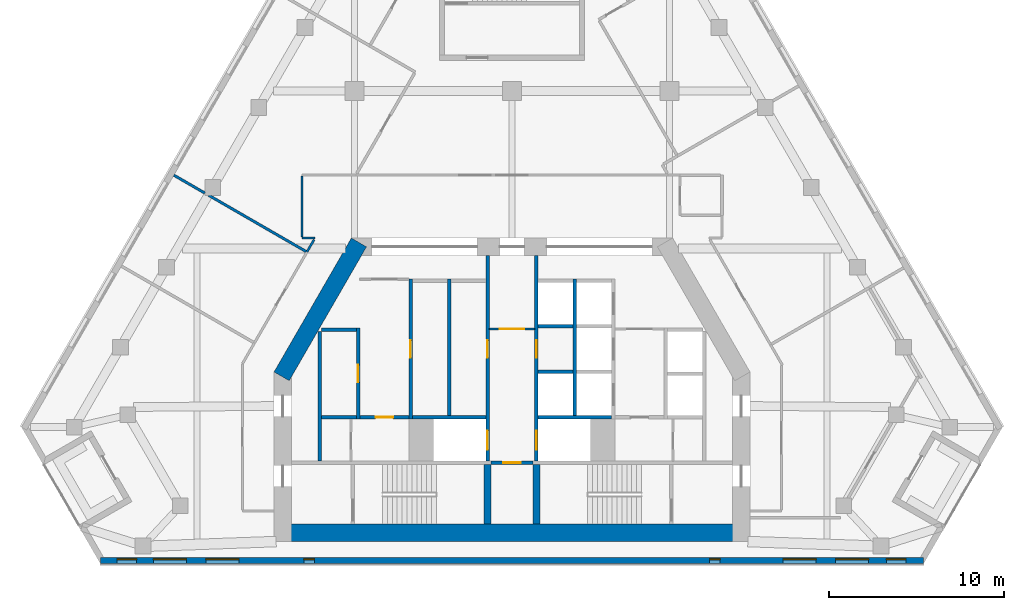
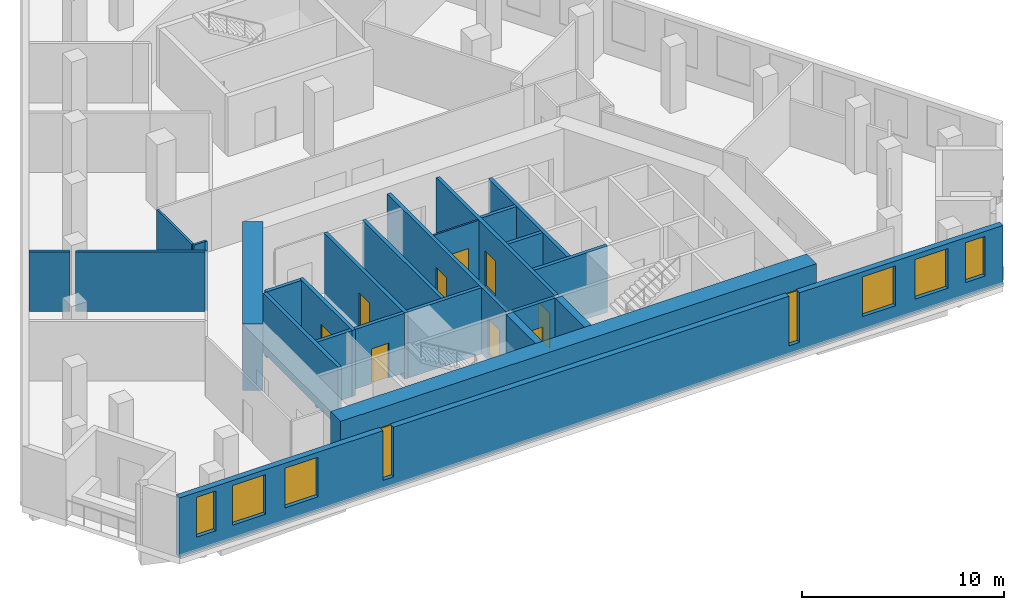
# One storey, part 4 of 9: 26 walls, 9 doors, 8 windows, 17 openings.
"""IFC4 building model written with IfcOpenShell, lengths in metres."""

import ifcopenshell
import ifcopenshell.guid

model = None  # the IFC model being written
_history = None  # IfcOwnerHistory: only IFC2X3 demands one
_inside = {}  # id of a spatial element -> (the spatial element, [elements in it])
_under = {}  # id of a project, library or spatial element -> (it, [spatial elements below it])
_declared = {}  # id of a project -> (the project, [libraries it declares])
_typed = {}  # id of a type object -> (the type object, [elements of that type])
_made_of = {}  # id of a material, layer set ... -> (it, [elements and type objects made of it])


def new_model(schema):
    """Start an empty IFC model of exactly this schema.

    Asked for "IFC4X3", IfcOpenShell would pick the latest addendum, in which some entities
    have other attributes; the version numbers below select the first issue.
    IFC2X3 requires an IfcOwnerHistory on every rooted entity: one is made here for all.
    """
    global model, _history
    if schema == "IFC4X3":
        model = ifcopenshell.file(schema_version=(4, 3, 0, 0))
    else:
        model = ifcopenshell.file(schema=schema)
    _inside.clear()
    _under.clear()
    _declared.clear()
    _typed.clear()
    _made_of.clear()
    _history = None
    if model.schema == "IFC2X3":
        org = make("IfcOrganization", Name="unknown")
        user = make(
            "IfcPersonAndOrganization",
            ThePerson=make("IfcPerson", FamilyName="unknown"),
            TheOrganization=org,
        )
        app = make(
            "IfcApplication",
            ApplicationDeveloper=org,
            Version="unknown",
            ApplicationFullName="unknown",
            ApplicationIdentifier="unknown",
        )
        _history = make(
            "IfcOwnerHistory",
            OwningUser=user,
            OwningApplication=app,
            ChangeAction="ADDED",
            CreationDate=0,
        )
    return model


def make(cls, **values):
    """One entity of the class cls with the attributes given. An attribute that is None is left unset."""
    return model.create_entity(
        cls, **{name: value for name, value in values.items() if value is not None}
    )


def rooted(cls, **values):
    """An entity with a GlobalId (a new one), such as an element, a storey or a relation."""
    return make(cls, GlobalId=ifcopenshell.guid.new(), OwnerHistory=_history, **values)


def si_unit(unit_type, name, prefix=None):
    """IfcSIUnit, for example si_unit("LENGTHUNIT", "METRE", prefix="MILLI")."""
    return make("IfcSIUnit", UnitType=unit_type, Prefix=prefix, Name=name)


def assignment(units):
    """IfcUnitAssignment: the units of a project."""
    return None if units is None else make("IfcUnitAssignment", Units=units)


def point(xyz):
    """IfcCartesianPoint."""
    return None if xyz is None else make("IfcCartesianPoint", Coordinates=xyz)


def direction(xyz):
    """IfcDirection."""
    return None if xyz is None else make("IfcDirection", DirectionRatios=xyz)


def frame(location, z_axis=None, x_axis=None):
    """IfcAxis2Placement3D, a coordinate frame: its origin and axes. An axis left out is left unset."""
    return make(
        "IfcAxis2Placement3D",
        Location=point(location),
        Axis=direction(z_axis),
        RefDirection=direction(x_axis),
    )


def frame_2d(location, x_axis=None):
    """IfcAxis2Placement2D, a coordinate frame in the plane: its origin and x axis."""
    return make(
        "IfcAxis2Placement2D", Location=point(location), RefDirection=direction(x_axis)
    )


def origin():
    """The frame at (0, 0, 0) with its axes left unset."""
    return frame((0.0, 0.0, 0.0))


def place(relative_to, where):
    """IfcLocalPlacement: puts the frame where relative to a parent placement (None: the world)."""
    return make(
        "IfcLocalPlacement", PlacementRelTo=relative_to, RelativePlacement=where
    )


def context(
    kind, dimensions, precision=None, world=None, true_north=None, identifier=None
):
    """IfcGeometricRepresentationContext, for example the 3D "Model" context."""
    return make(
        "IfcGeometricRepresentationContext",
        ContextIdentifier=identifier,
        ContextType=kind,
        CoordinateSpaceDimension=dimensions,
        Precision=precision,
        WorldCoordinateSystem=world,
        TrueNorth=true_north,
    )


def subcontext(parent, identifier, kind, view, scale=None):
    """IfcGeometricRepresentationSubContext, for example "Body" below "Model"."""
    return make(
        "IfcGeometricRepresentationSubContext",
        ContextIdentifier=identifier,
        ContextType=kind,
        ParentContext=parent,
        TargetScale=scale,
        TargetView=view,
    )


def project(units=None, contexts=None):
    """IfcProject with its units and contexts."""
    return rooted(
        "IfcProject",
        Name="project",
        RepresentationContexts=contexts,
        UnitsInContext=assignment(units),
    )


def spatial(cls, under=None, at=None, **own):
    """A site, building, storey or space (cls), placed at a placement, below another one or the project."""
    s = rooted(cls, ObjectPlacement=at, **own)
    if under is not None:
        _under.setdefault(under.id(), (under, []))[1].append(s)
    return s


def profile(cls, at=None, kind="AREA", **sizes):
    """A parametric profile (cls). Its sizes go by their IFC names, for example OverallWidth=200.0."""
    return make(cls, ProfileType=kind, Position=at, **sizes)


def rectangle(**sizes):
    """IfcRectangleProfileDef."""
    return profile("IfcRectangleProfileDef", **sizes)


def extrude(swept, where, along, depth):
    """IfcExtrudedAreaSolid: the profile swept, set in the frame where, extruded along a direction by depth."""
    return make(
        "IfcExtrudedAreaSolid",
        SweptArea=swept,
        Position=where,
        ExtrudedDirection=direction(along),
        Depth=depth,
    )


def shape(context_of_items, identifier, shape_type, items):
    """IfcShapeRepresentation: the items that make up one representation, for example the "Body"."""
    return make(
        "IfcShapeRepresentation",
        ContextOfItems=context_of_items,
        RepresentationIdentifier=identifier,
        RepresentationType=shape_type,
        Items=items,
    )


def material(Name=None, Category=None):
    """IfcMaterial."""
    return make("IfcMaterial", Name=Name, Category=Category)


def layer(
    of_material, thickness, ventilated=None, Name=None, Category=None, Priority=None
):
    """IfcMaterialLayer: one layer of a wall or slab, of a material (None: an air gap)."""
    return make(
        "IfcMaterialLayer",
        Material=of_material,
        LayerThickness=thickness,
        IsVentilated=ventilated,
        Name=Name,
        Category=Category,
        Priority=Priority,
    )


def layer_set(layers, Name=None):
    """IfcMaterialLayerSet."""
    return make("IfcMaterialLayerSet", MaterialLayers=layers, LayerSetName=Name)


def made_of(thing, what):
    """Note that an element or type object is made of a material, layer set ...; save() writes the relation."""
    if what is not None:
        _made_of.setdefault(what.id(), (what, []))[1].append(thing)
    return thing


def type_object(cls, material=None, **own):
    """A type object (cls), such as IfcWallType, which elements share."""
    return made_of(rooted(cls, **own), material)


def element(
    cls,
    number,
    at=None,
    inside=None,
    cuts=None,
    type_object=None,
    material=None,
    context=None,
    identifier="Body",
    shape_type=None,
    held_by="IfcProductDefinitionShape",
    body=None,
    shapes=None,
    **own,
):
    """One element of the class cls, such as IfcWall. Its Tag is "e" and its number.

    at: its placement. inside: the storey or other place that contains it. cuts: it is an
    opening in that element (IfcRelVoidsElement). A single representation is given by context,
    identifier, shape_type and body (its items); several are given by shapes. held_by: the class
    of the entity that holds the representations. save() writes the other relations.
    """
    e = rooted(cls, Tag="e%d" % number, ObjectPlacement=at, **own)
    if body is not None:
        shapes = [shape(context, identifier, shape_type, body)]
    if shapes is not None:
        e.Representation = make(held_by, Representations=shapes)
    if inside is not None:
        _inside.setdefault(inside.id(), (inside, []))[1].append(e)
    if cuts is not None:
        rooted(
            "IfcRelVoidsElement", RelatingBuildingElement=cuts, RelatedOpeningElement=e
        )
    if type_object is not None:
        _typed.setdefault(type_object.id(), (type_object, []))[1].append(e)
    return made_of(e, material)


def fill(opening, filler):
    """IfcRelFillsElement: the door or window that sits in an opening."""
    return rooted(
        "IfcRelFillsElement",
        RelatingOpeningElement=opening,
        RelatedBuildingElement=filler,
    )


def aggregate(whole, parts):
    """IfcRelAggregates: a whole, such as a stair, and the parts it consists of."""
    return rooted("IfcRelAggregates", RelatingObject=whole, RelatedObjects=parts)


def save(model, path):
    """Write the relations noted so far, then the file.

    IfcRelAggregates (storeys below a building ...), IfcRelContainedInSpatialStructure (elements
    in a storey), IfcRelDefinesByType, IfcRelAssociatesMaterial and IfcRelDeclares: one each for
    every whole, place, type object, material and project.
    """
    for whole, parts in _under.values():
        aggregate(whole, parts)
    for where, things in _inside.values():
        rooted(
            "IfcRelContainedInSpatialStructure",
            RelatedElements=things,
            RelatingStructure=where,
        )
    for kind, things in _typed.values():
        rooted("IfcRelDefinesByType", RelatedObjects=things, RelatingType=kind)
    for what, things in _made_of.values():
        rooted("IfcRelAssociatesMaterial", RelatedObjects=things, RelatingMaterial=what)
    for by, libraries in _declared.values():
        rooted("IfcRelDeclares", RelatingContext=by, RelatedDefinitions=libraries)
    model.write(path)


model = new_model("IFC4")

# Units and contexts
model_context = context("Model", 3, precision=1e-05, world=origin(), true_north=direction((0.0, 1.0)))
body_context = subcontext(model_context, "Body", "Model", "MODEL_VIEW")
ifc_project = project(units=[si_unit("LENGTHUNIT", "METRE"), si_unit("AREAUNIT", "SQUARE_METRE"), si_unit("VOLUMEUNIT", "CUBIC_METRE"), si_unit("PLANEANGLEUNIT", "RADIAN"), si_unit("MASSUNIT", "GRAM", prefix="KILO")], contexts=[model_context])

# Site, building, storey
site_placement = place(None, origin())
site = spatial("IfcSite", under=ifc_project, at=site_placement, CompositionType="ELEMENT")
building_placement = place(site_placement, origin())
building = spatial("IfcBuilding", under=site, at=building_placement, Name="Fogline Exchange Tower", CompositionType="ELEMENT")
storey_placement = place(building_placement, frame((0.0, 0.0, 186.10009765625)))
storey = spatial("IfcBuildingStorey", under=building, at=storey_placement, Name="L41", CompositionType="ELEMENT", Elevation=186.10009765625)

# Wall, opening, door
ifc_material_1 = material(Name="Blockwork partition", Category="masonry")
ifc_layer_1 = layer(ifc_material_1, 0.10009765625)
ifc_layer_set_1 = layer_set([ifc_layer_1], Name="CW10")
wall_type_1 = type_object("IfcWallType", Name="CW10", PredefinedType="PARTITIONING", material=ifc_layer_set_1)
wall_1_placement = place(storey_placement, frame((-1.300048828125, 13.39990234375, 0.0), z_axis=(0.0, 0.0, 1.0), x_axis=(1.0, 0.0, 0.0)))
wall_1 = element("IfcWall", 1, at=wall_1_placement, inside=storey, type_object=wall_type_1, Name="Lift lobby partition", PredefinedType="PARTITIONING", context=body_context, shape_type="SweptSolid", body=[
    extrude(rectangle(XDim=2.60009765625, YDim=0.10009765625, at=frame_2d((1.300048828125, 0.0))), origin(), (0.0, 0.0, 1.0), 3.599853515625),
])
opening_1_placement = place(wall_1_placement, frame((0.60009765625, 0.0, 0.0)))
opening_1 = element("IfcOpeningElement", 2, at=opening_1_placement, cuts=wall_1, Name="Opening T13-C018", PredefinedType="OPENING", context=body_context, shape_type="SweptSolid", body=[
    extrude(rectangle(XDim=1.39990234375, YDim=2.10009765625, at=frame_2d((0.699951171875, 1.050048828125))), frame((0.0, 0.06005859375, 0.0), z_axis=(0.0, -1.0, 0.0), x_axis=(1.0, 0.0, 0.0)), (0.0, 0.0, 1.0), 0.1201171875),
])
ifc_material_2 = material(Name="Steel and timber fire door", Category="steel")
door_type_1 = type_object("IfcDoorType", Name="D-LB1", OperationType="DOUBLE_DOOR_SINGLE_SWING", PredefinedType="DOOR", material=ifc_material_2)
door_1_placement = place(opening_1_placement, origin())
door_1 = element("IfcDoor", 3, at=door_1_placement, inside=storey, type_object=door_type_1, Name="Door to firefighting lift lobby", OperationType="DOUBLE_DOOR_SINGLE_SWING", OverallHeight=2.10009765625, OverallWidth=1.39990234375, PredefinedType="DOOR", context=body_context, shape_type="SweptSolid", body=[
    extrude(rectangle(XDim=1.39990234375, YDim=2.10009765625, at=frame_2d((0.699951171875, 1.050048828125))), frame((0.0, 0.02490234375, 0.0), z_axis=(0.0, -1.0, 0.0), x_axis=(1.0, 0.0, 0.0)), (0.0, 0.0, 1.0), 0.050048828125),
])
fill(opening_1, door_1)

# Wall
ifc_material_3 = material(Name="Concrete C40", Category="concrete")
ifc_layer_2 = layer(ifc_material_3, 0.199951171875)
ifc_layer_set_2 = layer_set([ifc_layer_2], Name="CW20")
wall_type_2 = type_object("IfcWallType", Name="CW20", PredefinedType="SOLIDWALL", material=ifc_layer_set_2)
wall_2_placement = place(storey_placement, frame((-11.0, 5.85009765625, 0.0), z_axis=(0.0, 0.0, 1.0), x_axis=(0.0, 1.0, 0.0)))
element("IfcWall", 4, at=wall_2_placement, inside=storey, type_object=wall_type_2, Name="Service room wall", PredefinedType="SOLIDWALL", context=body_context, shape_type="SweptSolid", body=[
    extrude(rectangle(XDim=7.39990234375, YDim=0.199951171875, at=frame_2d((3.699951171875, 0.0))), origin(), (0.0, 0.0, 1.0), 3.599853515625),
])

# Wall, opening, door
wall_3_placement = place(storey_placement, frame((-8.699951171875, 8.35009765625, 0.0), z_axis=(0.0, 0.0, 1.0), x_axis=(1.0, 0.0, 0.0)))
wall_3 = element("IfcWall", 5, at=wall_3_placement, inside=storey, type_object=wall_type_2, Name="WC wall", PredefinedType="SOLIDWALL", context=body_context, shape_type="SweptSolid", body=[
    extrude(rectangle(XDim=2.800048828125, YDim=0.199951171875, at=frame_2d((1.39990234375, 0.0))), origin(), (0.0, 0.0, 1.0), 3.599853515625),
])
opening_2_placement = place(wall_3_placement, frame((0.89990234375, 0.0, 0.0)))
opening_2 = element("IfcOpeningElement", 6, at=opening_2_placement, cuts=wall_3, Name="Opening T13-C007", PredefinedType="OPENING", context=body_context, shape_type="SweptSolid", body=[
    extrude(rectangle(XDim=1.0, YDim=2.10009765625, at=frame_2d((0.5, 1.050048828125))), frame((0.0, 0.10986328125, 0.0), z_axis=(0.0, -1.0, 0.0), x_axis=(1.0, 0.0, 0.0)), (0.0, 0.0, 1.0), 0.219970703125),
])
door_type_2 = type_object("IfcDoorType", Name="D-WC1", OperationType="SINGLE_SWING_LEFT", PredefinedType="DOOR", material=ifc_material_2)
door_2_placement = place(opening_2_placement, frame((1.0, 0.0, 0.0), z_axis=(0.0, 0.0, 1.0), x_axis=(-1.0, 0.0, 0.0)))
door_2 = element("IfcDoor", 7, at=door_2_placement, inside=storey, type_object=door_type_2, Name="Door to Men's WC", OperationType="SINGLE_SWING_LEFT", OverallHeight=2.10009765625, OverallWidth=1.0, PredefinedType="DOOR", context=body_context, shape_type="SweptSolid", body=[
    extrude(rectangle(XDim=1.0, YDim=2.10009765625, at=frame_2d((0.5, 1.050048828125))), frame((0.0, 0.02490234375, 0.0), z_axis=(0.0, -1.0, 0.0), x_axis=(1.0, 0.0, 0.0)), (0.0, 0.0, 1.0), 0.050048828125),
])
fill(opening_2, door_2)

ifc_layer_3 = layer(ifc_material_3, 0.199951171875)
ifc_layer_set_3 = layer_set([ifc_layer_3], Name="CW20R")
wall_type_3 = type_object("IfcWallType", Name="CW20R", PredefinedType="SOLIDWALL", material=ifc_layer_set_3)
wall_4_placement = place(storey_placement, frame((-1.199951171875, 5.75, -0.400146484375), z_axis=(0.0, 0.0, 1.0), x_axis=(1.0, 0.0, 0.0)))
wall_4 = element("IfcWall", 8, at=wall_4_placement, inside=storey, type_object=wall_type_3, Name="Stair enclosure wall", PredefinedType="SOLIDWALL", context=body_context, shape_type="SweptSolid", body=[
    extrude(rectangle(XDim=2.39990234375, YDim=0.199951171875, at=frame_2d((1.199951171875, 0.0))), origin(), (0.0, 0.0, 1.0), 4.0),
])
opening_3_placement = place(wall_4_placement, frame((0.699951171875, 0.0, 0.39990234375)))
opening_3 = element("IfcOpeningElement", 9, at=opening_3_placement, cuts=wall_4, Name="Opening T13-C005", PredefinedType="OPENING", context=body_context, shape_type="SweptSolid", body=[
    extrude(rectangle(XDim=1.0, YDim=2.10009765625, at=frame_2d((0.5, 1.050048828125))), frame((0.0, 0.10986328125, 0.0), z_axis=(0.0, -1.0, 0.0), x_axis=(1.0, 0.0, 0.0)), (0.0, 0.0, 1.0), 0.219970703125),
])
door_type_3 = type_object("IfcDoorType", Name="D-RM1", OperationType="SINGLE_SWING_LEFT", PredefinedType="DOOR", material=ifc_material_2)
door_3_placement = place(opening_3_placement, frame((1.0, 0.0, 0.0), z_axis=(0.0, 0.0, 1.0), x_axis=(-1.0, 0.0, 0.0)))
door_3 = element("IfcDoor", 10, at=door_3_placement, inside=storey, type_object=door_type_3, Name="Door to Riser Room", OperationType="SINGLE_SWING_RIGHT", OverallHeight=2.10009765625, OverallWidth=1.0, PredefinedType="DOOR", context=body_context, shape_type="SweptSolid", body=[
    extrude(rectangle(XDim=1.0, YDim=2.10009765625, at=frame_2d((0.5, 1.050048828125))), frame((0.0, 0.02490234375, 0.0), z_axis=(0.0, -1.0, 0.0), x_axis=(1.0, 0.0, 0.0)), (0.0, 0.0, 1.0), 0.050048828125),
])
fill(opening_3, door_3)

ifc_layer_4 = layer(ifc_material_3, 0.199951171875)
ifc_layer_set_4 = layer_set([ifc_layer_4], Name="CW20S")
wall_type_4 = type_object("IfcWallType", Name="CW20S", PredefinedType="SOLIDWALL", material=ifc_layer_set_4)
wall_5_placement = place(storey_placement, frame((-8.800048828125, 8.25, -0.400146484375), z_axis=(0.0, 0.0, 1.0), x_axis=(0.0, 1.0, 0.0)))
wall_5 = element("IfcWall", 11, at=wall_5_placement, inside=storey, type_object=wall_type_4, Name="Lift shaft wall", PredefinedType="SOLIDWALL", context=body_context, shape_type="SweptSolid", body=[
    extrude(rectangle(XDim=5.199951171875, YDim=0.199951171875, at=frame_2d((2.60009765625, 0.0))), origin(), (0.0, 0.0, 1.0), 4.0),
])
opening_4_placement = place(wall_5_placement, frame((2.10009765625, 0.0, 0.39990234375)))
opening_4 = element("IfcOpeningElement", 12, at=opening_4_placement, cuts=wall_5, Name="Opening T13-C001", PredefinedType="OPENING", context=body_context, shape_type="SweptSolid", body=[
    extrude(rectangle(XDim=1.0, YDim=2.10009765625, at=frame_2d((0.5, 1.050048828125))), frame((0.0, 0.10986328125, 0.0), z_axis=(0.0, -1.0, 0.0), x_axis=(1.0, 0.0, 0.0)), (0.0, 0.0, 1.0), 0.219970703125),
])
door_4_placement = place(opening_4_placement, origin())
door_4 = element("IfcDoor", 13, at=door_4_placement, inside=storey, type_object=door_type_3, Name="Door to Records Room", OperationType="SINGLE_SWING_RIGHT", OverallHeight=2.10009765625, OverallWidth=1.0, PredefinedType="DOOR", context=body_context, shape_type="SweptSolid", body=[
    extrude(rectangle(XDim=1.0, YDim=2.10009765625, at=frame_2d((0.5, 1.050048828125))), frame((0.0, 0.02490234375, 0.0), z_axis=(0.0, -1.0, 0.0), x_axis=(1.0, 0.0, 0.0)), (0.0, 0.0, 1.0), 0.050048828125),
])
fill(opening_4, door_4)

wall_6_placement = place(storey_placement, frame((-5.800048828125, 8.25, -0.400146484375), z_axis=(0.0, 0.0, 1.0), x_axis=(0.0, 1.0, 0.0)))
wall_6 = element("IfcWall", 14, at=wall_6_placement, inside=storey, type_object=wall_type_4, Name="Lift shaft wall", PredefinedType="SOLIDWALL", context=body_context, shape_type="SweptSolid", body=[
    extrude(rectangle(XDim=8.0, YDim=0.199951171875, at=frame_2d((4.0, 0.0))), origin(), (0.0, 0.0, 1.0), 4.0),
])
opening_5_placement = place(wall_6_placement, frame((3.5, 0.0, 0.39990234375)))
opening_5 = element("IfcOpeningElement", 15, at=opening_5_placement, cuts=wall_6, Name="Opening T13-C002", PredefinedType="OPENING", context=body_context, shape_type="SweptSolid", body=[
    extrude(rectangle(XDim=1.0, YDim=2.10009765625, at=frame_2d((0.5, 1.050048828125))), frame((0.0, 0.10986328125, 0.0), z_axis=(0.0, -1.0, 0.0), x_axis=(1.0, 0.0, 0.0)), (0.0, 0.0, 1.0), 0.219970703125),
])
door_5_placement = place(opening_5_placement, frame((1.0, 0.0, 0.0), z_axis=(0.0, 0.0, 1.0), x_axis=(-1.0, 0.0, 0.0)))
door_5 = element("IfcDoor", 16, at=door_5_placement, inside=storey, type_object=door_type_3, Name="Door to Service Hall", OperationType="SINGLE_SWING_RIGHT", OverallHeight=2.10009765625, OverallWidth=1.0, PredefinedType="DOOR", context=body_context, shape_type="SweptSolid", body=[
    extrude(rectangle(XDim=1.0, YDim=2.10009765625, at=frame_2d((0.5, 1.050048828125))), frame((0.0, 0.02490234375, 0.0), z_axis=(0.0, -1.0, 0.0), x_axis=(1.0, 0.0, 0.0)), (0.0, 0.0, 1.0), 0.050048828125),
])
fill(opening_5, door_5)

# Walls
for number, where, z_axis, x_axis, name in (
    (17, (-3.60009765625, 8.449951171875, -0.400146484375), (0.0, 0.0, 1.0), (0.0, 1.0, 0.0), "Lift shaft wall"),
    (18, (3.60009765625, 8.449951171875, -0.400146484375), (0.0, 0.0, 1.0), (0.0, 1.0, 0.0), "Lift shaft wall"),
):
    element("IfcWall", number, at=place(storey_placement, frame(where, z_axis=z_axis, x_axis=x_axis)), inside=storey, type_object=wall_type_4, Name=name, PredefinedType="SOLIDWALL", context=body_context, shape_type="SweptSolid", body=[
        extrude(rectangle(XDim=7.800048828125, YDim=0.199951171875, at=frame_2d((3.89990234375, 0.0))), origin(), (0.0, 0.0, 1.0), 4.0),
    ])

# Wall, openings, doors
wall_7_placement = place(storey_placement, frame((-1.39990234375, 5.85009765625, -0.400146484375), z_axis=(0.0, 0.0, 1.0), x_axis=(0.0, 1.0, 0.0)))
wall_7 = element("IfcWall", 19, at=wall_7_placement, inside=storey, type_object=wall_type_4, Name="Lift lobby wall", PredefinedType="SOLIDWALL", context=body_context, shape_type="SweptSolid", body=[
    extrude(rectangle(XDim=11.75, YDim=0.199951171875, at=frame_2d((5.875, 0.0))), origin(), (0.0, 0.0, 1.0), 4.0),
])
opening_6_placement = place(wall_7_placement, frame((0.64990234375, 0.0, 0.39990234375)))
opening_6 = element("IfcOpeningElement", 20, at=opening_6_placement, cuts=wall_7, Name="Opening T13-LD01", PredefinedType="OPENING", context=body_context, shape_type="SweptSolid", body=[
    extrude(rectangle(XDim=1.10009765625, YDim=2.10009765625, at=frame_2d((0.550048828125, 1.050048828125))), frame((0.0, 0.10986328125, 0.0), z_axis=(0.0, -1.0, 0.0), x_axis=(1.0, 0.0, 0.0)), (0.0, 0.0, 1.0), 0.219970703125),
])
opening_7_placement = place(wall_7_placement, frame((5.89990234375, 0.0, 0.39990234375)))
opening_7 = element("IfcOpeningElement", 21, at=opening_7_placement, cuts=wall_7, Name="Opening T13-C003", PredefinedType="OPENING", context=body_context, shape_type="SweptSolid", body=[
    extrude(rectangle(XDim=1.0, YDim=2.10009765625, at=frame_2d((0.5, 1.050048828125))), frame((0.0, 0.10986328125, 0.0), z_axis=(0.0, -1.0, 0.0), x_axis=(1.0, 0.0, 0.0)), (0.0, 0.0, 1.0), 0.219970703125),
])
door_6_placement = place(opening_7_placement, origin())
door_6 = element("IfcDoor", 22, at=door_6_placement, inside=storey, type_object=door_type_3, Name="Door to Records Hall", OperationType="SINGLE_SWING_LEFT", OverallHeight=2.10009765625, OverallWidth=1.0, PredefinedType="DOOR", context=body_context, shape_type="SweptSolid", body=[
    extrude(rectangle(XDim=1.0, YDim=2.10009765625, at=frame_2d((0.5, 1.050048828125))), frame((0.0, 0.02490234375, 0.0), z_axis=(0.0, -1.0, 0.0), x_axis=(1.0, 0.0, 0.0)), (0.0, 0.0, 1.0), 0.050048828125),
])
fill(opening_7, door_6)
door_type_4 = type_object("IfcDoorType", Name="LD2", OperationType="SLIDING_TO_RIGHT", PredefinedType="DOOR", material=ifc_material_2)
door_7_placement = place(opening_6_placement, origin())
door_7 = element("IfcDoor", 23, at=door_7_placement, inside=storey, type_object=door_type_4, Name="Landing door FF1", OperationType="SLIDING_TO_RIGHT", OverallHeight=2.10009765625, OverallWidth=1.10009765625, PredefinedType="DOOR", context=body_context, shape_type="SweptSolid", body=[
    extrude(rectangle(XDim=1.10009765625, YDim=2.10009765625, at=frame_2d((0.550048828125, 1.050048828125))), frame((0.0, 0.02490234375, 0.0), z_axis=(0.0, -1.0, 0.0), x_axis=(1.0, 0.0, 0.0)), (0.0, 0.0, 1.0), 0.050048828125),
])
fill(opening_6, door_7)

wall_8_placement = place(storey_placement, frame((1.39990234375, 5.85009765625, -0.400146484375), z_axis=(0.0, 0.0, 1.0), x_axis=(0.0, 1.0, 0.0)))
wall_8 = element("IfcWall", 24, at=wall_8_placement, inside=storey, type_object=wall_type_4, Name="Lift lobby wall", PredefinedType="SOLIDWALL", context=body_context, shape_type="SweptSolid", body=[
    extrude(rectangle(XDim=11.75, YDim=0.199951171875, at=frame_2d((5.875, 0.0))), origin(), (0.0, 0.0, 1.0), 4.0),
])
opening_8_placement = place(wall_8_placement, frame((0.64990234375, 0.0, 0.39990234375)))
opening_8 = element("IfcOpeningElement", 25, at=opening_8_placement, cuts=wall_8, Name="Opening T13-LD05", PredefinedType="OPENING", context=body_context, shape_type="SweptSolid", body=[
    extrude(rectangle(XDim=1.10009765625, YDim=2.10009765625, at=frame_2d((0.550048828125, 1.050048828125))), frame((0.0, 0.10986328125, 0.0), z_axis=(0.0, -1.0, 0.0), x_axis=(1.0, 0.0, 0.0)), (0.0, 0.0, 1.0), 0.219970703125),
])
opening_9_placement = place(wall_8_placement, frame((5.89990234375, 0.0, 0.39990234375)))
opening_9 = element("IfcOpeningElement", 26, at=opening_9_placement, cuts=wall_8, Name="Opening T13-C004", PredefinedType="OPENING", context=body_context, shape_type="SweptSolid", body=[
    extrude(rectangle(XDim=1.0, YDim=2.10009765625, at=frame_2d((0.5, 1.050048828125))), frame((0.0, 0.10986328125, 0.0), z_axis=(0.0, -1.0, 0.0), x_axis=(1.0, 0.0, 0.0)), (0.0, 0.0, 1.0), 0.219970703125),
])
door_8_placement = place(opening_9_placement, frame((1.0, 0.0, 0.0), z_axis=(0.0, 0.0, 1.0), x_axis=(-1.0, 0.0, 0.0)))
door_8 = element("IfcDoor", 27, at=door_8_placement, inside=storey, type_object=door_type_3, Name="Door to Plant Room", OperationType="SINGLE_SWING_RIGHT", OverallHeight=2.10009765625, OverallWidth=1.0, PredefinedType="DOOR", context=body_context, shape_type="SweptSolid", body=[
    extrude(rectangle(XDim=1.0, YDim=2.10009765625, at=frame_2d((0.5, 1.050048828125))), frame((0.0, 0.02490234375, 0.0), z_axis=(0.0, -1.0, 0.0), x_axis=(1.0, 0.0, 0.0)), (0.0, 0.0, 1.0), 0.050048828125),
])
fill(opening_9, door_8)
door_9_placement = place(opening_8_placement, origin())
door_9 = element("IfcDoor", 28, at=door_9_placement, inside=storey, type_object=door_type_4, Name="Landing door FF2", OperationType="SLIDING_TO_RIGHT", OverallHeight=2.10009765625, OverallWidth=1.10009765625, PredefinedType="DOOR", context=body_context, shape_type="SweptSolid", body=[
    extrude(rectangle(XDim=1.10009765625, YDim=2.10009765625, at=frame_2d((0.550048828125, 1.050048828125))), frame((0.0, 0.02490234375, 0.0), z_axis=(0.0, -1.0, 0.0), x_axis=(1.0, 0.0, 0.0)), (0.0, 0.0, 1.0), 0.050048828125),
])
fill(opening_8, door_9)

# Walls
wall_9_placement = place(storey_placement, frame((-10.89990234375, 8.35009765625, -0.400146484375), z_axis=(0.0, 0.0, 1.0), x_axis=(1.0, 0.0, 0.0)))
element("IfcWall", 29, at=wall_9_placement, inside=storey, type_object=wall_type_4, Name="Lift shaft wall", PredefinedType="SOLIDWALL", context=body_context, shape_type="SweptSolid", body=[
    extrude(rectangle(XDim=2.0, YDim=0.199951171875, at=frame_2d((1.0, 0.0))), origin(), (0.0, 0.0, 1.0), 4.0),
])
for number, where, z_axis, x_axis, name in (
    (30, (-5.699951171875, 8.35009765625, -0.400146484375), (0.0, 0.0, 1.0), (1.0, 0.0, 0.0), "Lift shaft wall"),
    (31, (1.5, 8.35009765625, -0.400146484375), (0.0, 0.0, 1.0), (1.0, 0.0, 0.0), "Lift shaft wall"),
):
    element("IfcWall", number, at=place(storey_placement, frame(where, z_axis=z_axis, x_axis=x_axis)), inside=storey, type_object=wall_type_4, Name=name, PredefinedType="SOLIDWALL", context=body_context, shape_type="SweptSolid", body=[
        extrude(rectangle(XDim=4.199951171875, YDim=0.199951171875, at=frame_2d((2.10009765625, 0.0))), origin(), (0.0, 0.0, 1.0), 4.0),
    ])
for number, where, z_axis, x_axis, name in (
    (32, (-10.89990234375, 13.35009765625, -0.400146484375), (0.0, 0.0, 1.0), (1.0, 0.0, 0.0), "Lift shaft wall"),
    (33, (1.5, 10.949951171875, -0.400146484375), (0.0, 0.0, 1.0), (1.0, 0.0, 0.0), "Lift shaft wall"),
    (34, (1.5, 13.550048828125, -0.400146484375), (0.0, 0.0, 1.0), (1.0, 0.0, 0.0), "Lift shaft wall"),
):
    element("IfcWall", number, at=place(storey_placement, frame(where, z_axis=z_axis, x_axis=x_axis)), inside=storey, type_object=wall_type_4, Name=name, PredefinedType="SOLIDWALL", context=body_context, shape_type="SweptSolid", body=[
        extrude(rectangle(XDim=2.0, YDim=0.199951171875, at=frame_2d((1.0, 0.0))), origin(), (0.0, 0.0, 1.0), 4.0),
    ])
ifc_layer_5 = layer(ifc_material_3, 0.39990234375)
ifc_layer_set_5 = layer_set([ifc_layer_5], Name="CW40R")
wall_type_5 = type_object("IfcWallType", Name="CW40R", PredefinedType="SOLIDWALL", material=ifc_layer_set_5)
for number, where, z_axis, x_axis, name in (
    (35, (-1.39990234375, 2.25, -0.400146484375), (0.0, 0.0, 1.0), (0.0, 1.0, 0.0), "Stair and lift shaft wall"),
    (36, (1.39990234375, 2.25, -0.400146484375), (0.0, 0.0, 1.0), (0.0, 1.0, 0.0), "Stair and lift shaft wall"),
):
    element("IfcWall", number, at=place(storey_placement, frame(where, z_axis=z_axis, x_axis=x_axis)), inside=storey, type_object=wall_type_5, Name=name, PredefinedType="SOLIDWALL", context=body_context, shape_type="SweptSolid", body=[
        extrude(rectangle(XDim=3.39990234375, YDim=0.39990234375, at=frame_2d((1.699951171875, 0.0))), origin(), (0.0, 0.0, 1.0), 4.0),
    ])

# Wall, openings, windows
ifc_material_4 = material(Name="Brick masonry", Category="masonry")
ifc_layer_6 = layer(ifc_material_4, 0.340087890625)
ifc_layer_set_6 = layer_set([ifc_layer_6], Name="FW1")
wall_type_6 = type_object("IfcWallType", Name="FW1", PredefinedType="SOLIDWALL", material=ifc_layer_set_6)
wall_10_placement = place(storey_placement, frame((-23.53125, 0.169921875, 0.0), z_axis=(0.0, 0.0, 1.0), x_axis=(1.0, 0.0, 0.0)))
wall_10 = element("IfcWall", 37, at=wall_10_placement, inside=storey, type_object=wall_type_6, Name="Brick wall L41 S", PredefinedType="SOLIDWALL", context=body_context, shape_type="SweptSolid", body=[
    extrude(rectangle(XDim=47.0625, YDim=0.340087890625, at=frame_2d((23.53125, 0.0))), origin(), (0.0, 0.0, 1.0), 3.599853515625),
])
opening_10_placement = place(wall_10_placement, frame((3.03125, 0.0, 0.89990234375)))
opening_10 = element("IfcOpeningElement", 38, at=opening_10_placement, cuts=wall_10, Name="Opening W1", PredefinedType="OPENING", context=body_context, shape_type="SweptSolid", body=[
    extrude(rectangle(XDim=1.885009765625, YDim=2.39990234375, at=frame_2d((0.9423828125, 1.199951171875))), frame((0.0, 0.18017578125, 0.0), z_axis=(0.0, -1.0, 0.0), x_axis=(1.0, 0.0, 0.0)), (0.0, 0.0, 1.0), 0.360107421875),
])
opening_11_placement = place(wall_10_placement, frame((6.03125, 0.0, 0.89990234375)))
opening_11 = element("IfcOpeningElement", 39, at=opening_11_placement, cuts=wall_10, Name="Opening W1", PredefinedType="OPENING", context=body_context, shape_type="SweptSolid", body=[
    extrude(rectangle(XDim=1.885009765625, YDim=2.39990234375, at=frame_2d((0.9423828125, 1.199951171875))), frame((0.0, 0.18017578125, 0.0), z_axis=(0.0, -1.0, 0.0), x_axis=(1.0, 0.0, 0.0)), (0.0, 0.0, 1.0), 0.360107421875),
])
opening_12_placement = place(wall_10_placement, frame((39.03125, 0.0, 0.89990234375)))
opening_12 = element("IfcOpeningElement", 40, at=opening_12_placement, cuts=wall_10, Name="Opening W1", PredefinedType="OPENING", context=body_context, shape_type="SweptSolid", body=[
    extrude(rectangle(XDim=1.885009765625, YDim=2.39990234375, at=frame_2d((0.9423828125, 1.199951171875))), frame((0.0, 0.18017578125, 0.0), z_axis=(0.0, -1.0, 0.0), x_axis=(1.0, 0.0, 0.0)), (0.0, 0.0, 1.0), 0.360107421875),
])
opening_13_placement = place(wall_10_placement, frame((42.03125, 0.0, 0.89990234375)))
opening_13 = element("IfcOpeningElement", 41, at=opening_13_placement, cuts=wall_10, Name="Opening W1", PredefinedType="OPENING", context=body_context, shape_type="SweptSolid", body=[
    extrude(rectangle(XDim=1.885009765625, YDim=2.39990234375, at=frame_2d((0.9423828125, 1.199951171875))), frame((0.0, 0.18017578125, 0.0), z_axis=(0.0, -1.0, 0.0), x_axis=(1.0, 0.0, 0.0)), (0.0, 0.0, 1.0), 0.360107421875),
])
opening_14_placement = place(wall_10_placement, frame((0.958251953125, 0.0, 0.89990234375)))
opening_14 = element("IfcOpeningElement", 42, at=opening_14_placement, cuts=wall_10, Name="Opening W4", PredefinedType="OPENING", context=body_context, shape_type="SweptSolid", body=[
    extrude(rectangle(XDim=1.114990234375, YDim=2.39990234375, at=frame_2d((0.5576171875, 1.199951171875))), frame((0.0, 0.18017578125, 0.0), z_axis=(0.0, -1.0, 0.0), x_axis=(1.0, 0.0, 0.0)), (0.0, 0.0, 1.0), 0.360107421875),
])
opening_15_placement = place(wall_10_placement, frame((44.931884765625, 0.0, 0.89990234375)))
opening_15 = element("IfcOpeningElement", 43, at=opening_15_placement, cuts=wall_10, Name="Opening W4", PredefinedType="OPENING", context=body_context, shape_type="SweptSolid", body=[
    extrude(rectangle(XDim=1.114990234375, YDim=2.39990234375, at=frame_2d((0.5576171875, 1.199951171875))), frame((0.0, 0.18017578125, 0.0), z_axis=(0.0, -1.0, 0.0), x_axis=(1.0, 0.0, 0.0)), (0.0, 0.0, 1.0), 0.360107421875),
])
opening_16_placement = place(wall_10_placement, frame((11.63134765625, 0.0, 0.60009765625)))
opening_16 = element("IfcOpeningElement", 44, at=opening_16_placement, cuts=wall_10, Name="Opening W5", PredefinedType="OPENING", context=body_context, shape_type="SweptSolid", body=[
    extrude(rectangle(XDim=0.60009765625, YDim=3.0, at=frame_2d((0.300048828125, 1.5))), frame((0.0, 0.18017578125, 0.0), z_axis=(0.0, -1.0, 0.0), x_axis=(1.0, 0.0, 0.0)), (0.0, 0.0, 1.0), 0.360107421875),
])
opening_17_placement = place(wall_10_placement, frame((34.831298828125, 0.0, 0.60009765625)))
opening_17 = element("IfcOpeningElement", 45, at=opening_17_placement, cuts=wall_10, Name="Opening W5", PredefinedType="OPENING", context=body_context, shape_type="SweptSolid", body=[
    extrude(rectangle(XDim=0.60009765625, YDim=3.0, at=frame_2d((0.300048828125, 1.5))), frame((0.0, 0.18017578125, 0.0), z_axis=(0.0, -1.0, 0.0), x_axis=(1.0, 0.0, 0.0)), (0.0, 0.0, 1.0), 0.360107421875),
])
ifc_material_5 = material(Name="Aluminium and glass", Category="aluminium")
window_type_1 = type_object("IfcWindowType", Name="W1", PartitioningType="SINGLE_PANEL", PredefinedType="WINDOW", material=ifc_material_5)
window_1_placement = place(opening_10_placement, origin())
window_1 = element("IfcWindow", 46, at=window_1_placement, inside=storey, type_object=window_type_1, Name="W1 W1", OverallHeight=2.39990234375, OverallWidth=1.885009765625, PartitioningType="SINGLE_PANEL", PredefinedType="WINDOW", context=body_context, shape_type="SweptSolid", body=[
    extrude(rectangle(XDim=1.885009765625, YDim=2.39990234375, at=frame_2d((0.9423828125, 1.199951171875))), frame((0.0, 0.110107421875, 0.0), z_axis=(0.0, -1.0, 0.0), x_axis=(1.0, 0.0, 0.0)), (0.0, 0.0, 1.0), 0.06005859375),
])
fill(opening_10, window_1)
window_2_placement = place(opening_11_placement, origin())
window_2 = element("IfcWindow", 47, at=window_2_placement, inside=storey, type_object=window_type_1, Name="W1 W1", OverallHeight=2.39990234375, OverallWidth=1.885009765625, PartitioningType="SINGLE_PANEL", PredefinedType="WINDOW", context=body_context, shape_type="SweptSolid", body=[
    extrude(rectangle(XDim=1.885009765625, YDim=2.39990234375, at=frame_2d((0.9423828125, 1.199951171875))), frame((0.0, 0.110107421875, 0.0), z_axis=(0.0, -1.0, 0.0), x_axis=(1.0, 0.0, 0.0)), (0.0, 0.0, 1.0), 0.06005859375),
])
fill(opening_11, window_2)
window_3_placement = place(opening_12_placement, origin())
window_3 = element("IfcWindow", 48, at=window_3_placement, inside=storey, type_object=window_type_1, Name="W1 W1", OverallHeight=2.39990234375, OverallWidth=1.885009765625, PartitioningType="SINGLE_PANEL", PredefinedType="WINDOW", context=body_context, shape_type="SweptSolid", body=[
    extrude(rectangle(XDim=1.885009765625, YDim=2.39990234375, at=frame_2d((0.9423828125, 1.199951171875))), frame((0.0, 0.110107421875, 0.0), z_axis=(0.0, -1.0, 0.0), x_axis=(1.0, 0.0, 0.0)), (0.0, 0.0, 1.0), 0.06005859375),
])
fill(opening_12, window_3)
window_4_placement = place(opening_13_placement, origin())
window_4 = element("IfcWindow", 49, at=window_4_placement, inside=storey, type_object=window_type_1, Name="W1 W1", OverallHeight=2.39990234375, OverallWidth=1.885009765625, PartitioningType="SINGLE_PANEL", PredefinedType="WINDOW", context=body_context, shape_type="SweptSolid", body=[
    extrude(rectangle(XDim=1.885009765625, YDim=2.39990234375, at=frame_2d((0.9423828125, 1.199951171875))), frame((0.0, 0.110107421875, 0.0), z_axis=(0.0, -1.0, 0.0), x_axis=(1.0, 0.0, 0.0)), (0.0, 0.0, 1.0), 0.06005859375),
])
fill(opening_13, window_4)
window_type_2 = type_object("IfcWindowType", Name="W4", PartitioningType="SINGLE_PANEL", PredefinedType="WINDOW", material=ifc_material_5)
window_5_placement = place(opening_14_placement, origin())
window_5 = element("IfcWindow", 50, at=window_5_placement, inside=storey, type_object=window_type_2, Name="W4 W4", OverallHeight=2.39990234375, OverallWidth=1.114990234375, PartitioningType="SINGLE_PANEL", PredefinedType="WINDOW", context=body_context, shape_type="SweptSolid", body=[
    extrude(rectangle(XDim=1.114990234375, YDim=2.39990234375, at=frame_2d((0.5576171875, 1.199951171875))), frame((0.0, 0.110107421875, 0.0), z_axis=(0.0, -1.0, 0.0), x_axis=(1.0, 0.0, 0.0)), (0.0, 0.0, 1.0), 0.06005859375),
])
fill(opening_14, window_5)
window_6_placement = place(opening_15_placement, origin())
window_6 = element("IfcWindow", 51, at=window_6_placement, inside=storey, type_object=window_type_2, Name="W4 W4", OverallHeight=2.39990234375, OverallWidth=1.114990234375, PartitioningType="SINGLE_PANEL", PredefinedType="WINDOW", context=body_context, shape_type="SweptSolid", body=[
    extrude(rectangle(XDim=1.114990234375, YDim=2.39990234375, at=frame_2d((0.5576171875, 1.199951171875))), frame((0.0, 0.110107421875, 0.0), z_axis=(0.0, -1.0, 0.0), x_axis=(1.0, 0.0, 0.0)), (0.0, 0.0, 1.0), 0.06005859375),
])
fill(opening_15, window_6)
window_type_3 = type_object("IfcWindowType", Name="W5", PartitioningType="SINGLE_PANEL", PredefinedType="WINDOW", material=ifc_material_5)
window_7_placement = place(opening_16_placement, origin())
window_7 = element("IfcWindow", 52, at=window_7_placement, inside=storey, type_object=window_type_3, Name="W5 W5", OverallHeight=3.0, OverallWidth=0.60009765625, PartitioningType="SINGLE_PANEL", PredefinedType="WINDOW", context=body_context, shape_type="SweptSolid", body=[
    extrude(rectangle(XDim=0.60009765625, YDim=3.0, at=frame_2d((0.300048828125, 1.5))), frame((0.0, 0.110107421875, 0.0), z_axis=(0.0, -1.0, 0.0), x_axis=(1.0, 0.0, 0.0)), (0.0, 0.0, 1.0), 0.06005859375),
])
fill(opening_16, window_7)
window_8_placement = place(opening_17_placement, origin())
window_8 = element("IfcWindow", 53, at=window_8_placement, inside=storey, type_object=window_type_3, Name="W5 W5", OverallHeight=3.0, OverallWidth=0.60009765625, PartitioningType="SINGLE_PANEL", PredefinedType="WINDOW", context=body_context, shape_type="SweptSolid", body=[
    extrude(rectangle(XDim=0.60009765625, YDim=3.0, at=frame_2d((0.300048828125, 1.5))), frame((0.0, 0.110107421875, 0.0), z_axis=(0.0, -1.0, 0.0), x_axis=(1.0, 0.0, 0.0)), (0.0, 0.0, 1.0), 0.06005859375),
])
fill(opening_17, window_8)

# Walls
ifc_material_6 = material(Name="Plasterboard corridor partition with mineral wool, 2 layers each side")
ifc_layer_7 = layer(ifc_material_6, 0.125)
ifc_layer_set_7 = layer_set([ifc_layer_7], Name="PW2")
wall_type_7 = type_object("IfcWallType", Name="PW2", PredefinedType="PARTITIONING", material=ifc_layer_set_7)
wall_11_placement = place(storey_placement, frame((-11.259033203125, 18.60009765625, 0.0), z_axis=(0.0, 0.0, 1.0), x_axis=(-1.0, 0.0, 0.0)))
element("IfcWall", 54, at=wall_11_placement, inside=storey, type_object=wall_type_7, Name="wall-L41-W011", PredefinedType="PARTITIONING", context=body_context, shape_type="SweptSolid", body=[
    extrude(rectangle(XDim=0.740966796875, YDim=0.125, at=frame_2d((0.37060546875, 0.0))), origin(), (0.0, 0.0, 1.0), 3.599853515625),
])
wall_12_placement = place(storey_placement, frame((-12.0, 18.66259765625, 0.0), z_axis=(0.0, 0.0, 1.0), x_axis=(0.0, 1.0, 0.0)))
element("IfcWall", 55, at=wall_12_placement, inside=storey, type_object=wall_type_7, Name="wall-L41-W012", PredefinedType="PARTITIONING", context=body_context, shape_type="SweptSolid", body=[
    extrude(rectangle(XDim=3.474853515625, YDim=0.125, at=frame_2d((1.7373046875, 0.0))), origin(), (0.0, 0.0, 1.0), 3.599853515625),
])
wall_13_placement = place(storey_placement, frame((-11.719482421875, 17.802490234375, 0.0), z_axis=(0.0, 0.0, 1.0), x_axis=(0.499921960197, 0.866070455398, 0.0)))
element("IfcWall", 56, at=wall_13_placement, inside=storey, type_object=wall_type_7, Name="wall-L41-W014", PredefinedType="PARTITIONING", context=body_context, shape_type="SweptSolid", body=[
    extrude(rectangle(XDim=0.812255859375, YDim=0.125, at=frame_2d((0.40625, 0.0))), origin(), (0.0, 0.0, 1.0), 3.599853515625),
])
ifc_material_7 = material(Name="Plasterboard demising partition with mineral wool and acoustic board")
ifc_layer_8 = layer(ifc_material_7, 0.14990234375)
ifc_layer_set_8 = layer_set([ifc_layer_8], Name="PW3")
wall_type_8 = type_object("IfcWallType", Name="PW3", PredefinedType="PARTITIONING", material=ifc_layer_set_8)
wall_14_placement = place(storey_placement, frame((-11.773681640625, 17.83349609375, 0.0), z_axis=(0.0, 0.0, 1.0), x_axis=(-0.866011447264, 0.500024172624, 0.0)))
element("IfcWall", 57, at=wall_14_placement, inside=storey, type_object=wall_type_8, Name="wall-L41-W039", PredefinedType="PARTITIONING", context=body_context, shape_type="SweptSolid", body=[
    extrude(rectangle(XDim=6.420654296875, YDim=0.14990234375, at=frame_2d((3.21044921875, 0.0))), origin(), (0.0, 0.0, 1.0), 3.599853515625),
])
wall_15_placement = place(storey_placement, frame((-17.55517578125, 21.17138671875, 0.0), z_axis=(0.0, 0.0, 1.0), x_axis=(-0.865962786951, 0.500108439857, 0.0)))
element("IfcWall", 58, at=wall_15_placement, inside=storey, type_object=wall_type_8, Name="wall-L41-W040", PredefinedType="PARTITIONING", context=body_context, shape_type="SweptSolid", body=[
    extrude(rectangle(XDim=2.0439453125, YDim=0.14990234375, at=frame_2d((1.02197265625, 0.0))), origin(), (0.0, 0.0, 1.0), 3.599853515625),
])
ifc_material_8 = material(Name="Concrete C60", Category="concrete")
ifc_layer_9 = layer(ifc_material_8, 1.0)
ifc_layer_set_9 = layer_set([ifc_layer_9], Name="SW03")
wall_type_9 = type_object("IfcWallType", Name="SW03", PredefinedType="SHEAR", material=ifc_layer_set_9)
wall_16_placement = place(storey_placement, frame((-13.60009765625, 1.75, 0.0), z_axis=(0.0, 0.0, 1.0), x_axis=(1.0, 0.0, 0.0)))
element("IfcWall", 59, at=wall_16_placement, inside=storey, type_object=wall_type_9, Name="L41-W901", PredefinedType="SHEAR", context=body_context, shape_type="SweptSolid", body=[
    extrude(rectangle(XDim=27.2001953125, YDim=1.0, at=frame_2d((13.60009765625, 0.0))), origin(), (0.0, 0.0, 1.0), 4.0),
])
wall_17_placement = place(storey_placement, frame((-8.74755859375, 18.35009765625, 0.0), z_axis=(0.0, 0.0, 1.0), x_axis=(-0.499995021168, -0.866028278295, 0.0)))
element("IfcWall", 60, at=wall_17_placement, inside=storey, type_object=wall_type_9, Name="L41-W905", PredefinedType="SHEAR", context=body_context, shape_type="SweptSolid", body=[
    extrude(rectangle(XDim=8.8388671875, YDim=1.0, at=frame_2d((4.41943359375, 0.0))), origin(), (0.0, 0.0, 1.0), 4.0),
])

save(model, "model.ifc")
